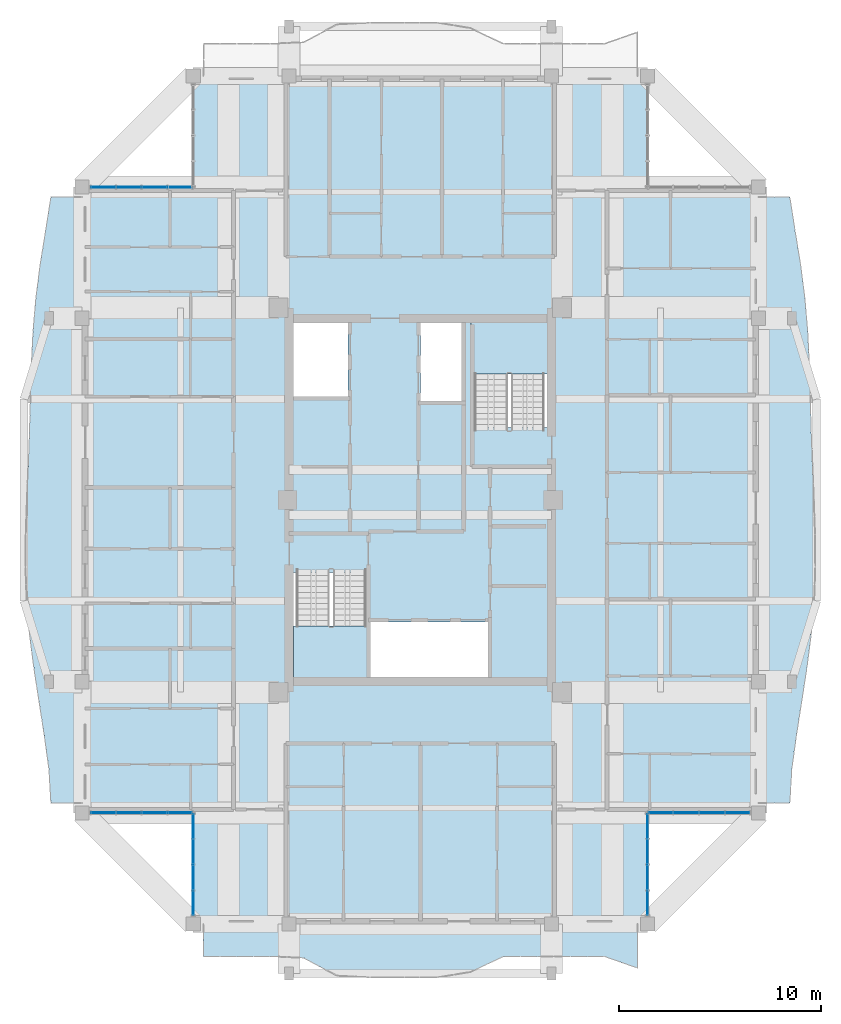
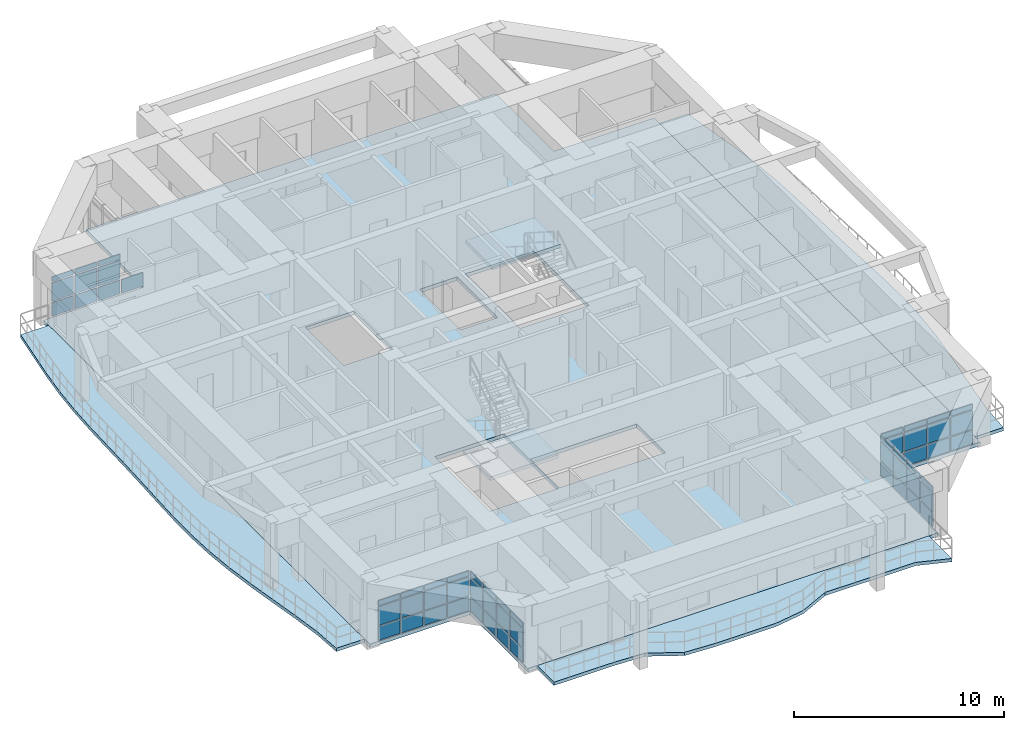
# One storey, part 14 of 27: 58 plates, 6 slabs, 7 elements without a shape of their own.
"""IFC4 building model written with IfcOpenShell, lengths in metres."""

from ifc_helpers import new_model, si_unit, direction, frame, origin, origin_2d, place, context, subcontext, project, spatial, polyline, rectangle, outline, extrude, source, transform, mapped, material, layer, layer_set, type_object, element, aggregate, save


model = new_model("IFC4")

# Units and contexts
model_context = context("Model", 3, precision=1e-05, world=origin(), true_north=direction((0.0, 1.0)))
body_context = subcontext(model_context, "Body", "Model", "MODEL_VIEW")
ifc_project = project(units=[si_unit("LENGTHUNIT", "METRE"), si_unit("AREAUNIT", "SQUARE_METRE"), si_unit("VOLUMEUNIT", "CUBIC_METRE"), si_unit("PLANEANGLEUNIT", "RADIAN"), si_unit("MASSUNIT", "GRAM", prefix="KILO")], contexts=[model_context])

# Site, building, storey
site_placement = place(None, origin())
site = spatial("IfcSite", under=ifc_project, at=site_placement, CompositionType="ELEMENT")
building_placement = place(site_placement, origin())
building = spatial("IfcBuilding", under=site, at=building_placement, Name="Saelheon Loggia Tower", CompositionType="ELEMENT")
storey_placement = place(building_placement, frame((0.0, 0.0, 236.10009765625)))
storey = spatial("IfcBuildingStorey", under=building, at=storey_placement, Name="L73", CompositionType="ELEMENT", Elevation=236.10009765625)

# Slabs
ifc_material_1 = material(Name="Precast Concrete C45/55", Category="concrete")
ifc_layer_1 = layer(ifc_material_1, 0.18994140625)
ifc_layer_set_1 = layer_set([ifc_layer_1], Name="Precast Concrete C45/55")
slab_type_1 = type_object("IfcSlabType", Name="Slab_Loggia_Ext_190", PredefinedType="FLOOR", material=ifc_layer_set_1)
slab_1_placement = place(storey_placement, frame((0.0, 0.0, -0.190185546875)))
element("IfcSlab", 1, at=slab_1_placement, inside=storey, type_object=slab_type_1, Name="L73 Loggia Balcony Slab S", PredefinedType="FLOOR", context=body_context, shape_type="SweptSolid", body=[
    extrude(outline(polyline([(27.25, 4.39990234375), (28.90380859375, 4.39990234375), (30.5576171875, 4.39990234375), (32.21142578125, 4.32275390625), (33.865478515625, 3.4404296875), (35.519287109375, 3.35009765625), (37.173095703125, 3.35009765625), (38.826904296875, 3.35009765625), (40.480712890625, 3.623046875), (42.134521484375, 4.39990234375), (43.78857421875, 4.39990234375), (45.4423828125, 4.39990234375), (47.09619140625, 4.39990234375), (48.75, 3.82275390625), (48.75, 6.0), (27.25, 6.0), (27.25, 4.39990234375)])), origin(), (0.0, 0.0, 1.0), 0.190185546875),
])
slab_2_placement = place(storey_placement, frame((0.0, 0.0, -0.190185546875)))
element("IfcSlab", 2, at=slab_2_placement, inside=storey, type_object=slab_type_1, Name="L73 Loggia Balcony Slab E", PredefinedType="FLOOR", context=body_context, shape_type="SweptSolid", body=[
    extrude(outline(polyline([(54.75, 12.0), (56.300048828125, 12.0), (56.397705078125, 13.666748046875), (56.625732421875, 15.333251953125), (56.884765625, 17.0), (57.14208984375, 18.666748046875), (57.3583984375, 20.333251953125), (57.501953125, 22.0), (57.560546875, 23.666748046875), (57.54638671875, 25.333251953125), (57.48779296875, 27.0), (57.41845703125, 28.666748046875), (57.360595703125, 30.333251953125), (57.31640625, 32.0), (57.26806640625, 33.666748046875), (57.18603515625, 35.333251953125), (57.043701171875, 37.0), (56.8310546875, 38.666748046875), (56.560302734375, 40.333251953125), (56.300048828125, 42.0), (54.75, 42.0), (54.75, 12.0)])), origin(), (0.0, 0.0, 1.0), 0.190185546875),
])
slab_3_placement = place(storey_placement, frame((0.0, 0.0, -0.190185546875)))
element("IfcSlab", 3, at=slab_3_placement, inside=storey, type_object=slab_type_1, Name="L73 Loggia Balcony Slab W", PredefinedType="FLOOR", context=body_context, shape_type="SweptSolid", body=[
    extrude(outline(polyline([(21.25, 12.0), (21.25, 42.0), (19.699951171875, 42.0), (19.439697265625, 40.333251953125), (19.1689453125, 38.666748046875), (18.956298828125, 37.0), (18.81396484375, 35.333251953125), (18.73193359375, 33.666748046875), (18.68359375, 32.0), (18.639404296875, 30.333251953125), (18.58154296875, 28.666748046875), (18.51220703125, 27.0), (18.45361328125, 25.333251953125), (18.439453125, 23.666748046875), (18.498046875, 22.0), (18.6416015625, 20.333251953125), (18.85791015625, 18.666748046875), (19.115234375, 17.0), (19.374267578125, 15.333251953125), (19.602294921875, 13.666748046875), (19.699951171875, 12.0), (21.25, 12.0)])), origin(), (0.0, 0.0, 1.0), 0.190185546875),
])

# Stair, slab
ifc_material_2 = material(Name="Concrete C40/50", Category="concrete")
stair_type = type_object("IfcStairType", Name="Stair_Escape_Core", PredefinedType="HALF_TURN_STAIR", material=ifc_material_2)
stair_1_placement = place(storey_placement, origin())
stair_1 = element("IfcStair", 4, at=stair_1_placement, inside=storey, type_object=stair_type, Name="L73 Special Escape Stair ST1", PredefinedType="HALF_TURN_STAIR")
ifc_layer_2 = layer(ifc_material_2, 0.199951171875)
ifc_layer_set_2 = layer_set([ifc_layer_2], Name="Concrete C40/50")
slab_type_2 = type_object("IfcSlabType", Name="Slab_StairLanding_ST1", PredefinedType="LANDING", material=ifc_layer_set_2)
slab_4_placement = place(storey_placement, frame((0.0, 0.0, 1.75)))
slab_4 = element("IfcSlab", 5, at=slab_4_placement, type_object=slab_type_2, Name="ST1 landing 1", PredefinedType="LANDING", context=body_context, shape_type="SweptSolid", body=[
    extrude(outline(polyline([(31.7099609375, 20.75), (31.7099609375, 18.2099609375), (35.469970703125, 18.2099609375), (35.469970703125, 20.75), (31.7099609375, 20.75)])), origin(), (0.0, 0.0, 1.0), 0.199951171875),
])
aggregate(stair_1, [slab_4])

stair_2_placement = place(storey_placement, origin())
stair_2 = element("IfcStair", 6, at=stair_2_placement, inside=storey, type_object=stair_type, Name="L73 Special Escape Stair ST2", PredefinedType="HALF_TURN_STAIR")
ifc_layer_3 = layer(ifc_material_2, 0.199951171875)
ifc_layer_set_3 = layer_set([ifc_layer_3], Name="Concrete C40/50")
slab_type_3 = type_object("IfcSlabType", Name="Slab_StairLanding_ST2", PredefinedType="LANDING", material=ifc_layer_set_3)
slab_5_placement = place(storey_placement, frame((0.0, 0.0, 1.75)))
slab_5 = element("IfcSlab", 7, at=slab_5_placement, type_object=slab_type_3, Name="ST2 landing 1", PredefinedType="LANDING", context=body_context, shape_type="SweptSolid", body=[
    extrude(outline(polyline([(44.2900390625, 33.25), (44.2900390625, 35.7900390625), (40.530029296875, 35.7900390625), (40.530029296875, 33.25), (44.2900390625, 33.25)])), origin(), (0.0, 0.0, 1.0), 0.199951171875),
])
aggregate(stair_2, [slab_5])

# Slab
ifc_layer_4 = layer(ifc_material_2, 0.2099609375)
ifc_layer_set_4 = layer_set([ifc_layer_4], Name="Concrete C40/50")
slab_type_4 = type_object("IfcSlabType", Name="Slab_Tower_210", PredefinedType="FLOOR", material=ifc_layer_set_4)
slab_6_placement = place(storey_placement, frame((0.0, 0.0, -0.210205078125)))
element("IfcSlab", 8, at=slab_6_placement, inside=storey, type_object=slab_type_4, Name="L73 Tower Floor Slab", PredefinedType="FLOOR", context=body_context, shape_type="SweptSolid", body=[
    extrude(outline(polyline([(26.75, 6.0), (49.25, 6.0), (49.25, 11.5), (54.75, 11.5), (54.75, 42.5), (49.25, 42.5), (49.25, 48.0), (26.75, 48.0), (26.75, 42.5), (21.25, 42.5), (21.25, 11.5), (26.75, 11.5), (26.75, 6.0)]), holes=[polyline([(31.699951171875, 23.409912109375), (31.699951171875, 18.199951171875), (35.47998046875, 18.199951171875), (35.47998046875, 23.409912109375), (31.699951171875, 23.409912109375)]), polyline([(44.300048828125, 30.590087890625), (44.300048828125, 35.800048828125), (40.52001953125, 35.800048828125), (40.52001953125, 30.590087890625), (44.300048828125, 30.590087890625)]), polyline([(35.530029296875, 18.22509765625), (41.35009765625, 18.22509765625), (41.35009765625, 20.9599609375), (35.530029296875, 20.9599609375), (35.530029296875, 18.22509765625)]), polyline([(31.72509765625, 32.1201171875), (34.419921875, 32.1201171875), (34.419921875, 35.77490234375), (31.72509765625, 35.77490234375), (31.72509765625, 32.1201171875)]), polyline([(38.0, 31.89990234375), (40.050048828125, 31.89990234375), (40.050048828125, 35.77490234375), (38.0, 35.77490234375), (38.0, 31.89990234375)])]), origin(), (0.0, 0.0, 1.0), 0.210205078125),
])

# Curtain wall, plates
ifc_material_3 = material(Name="High-Wind Aluminium and Triple Laminated Glass", Category="aluminium")
ifc_layer_5 = layer(ifc_material_3, 0.179931640625)
ifc_layer_set_5 = layer_set([ifc_layer_5], Name="High-Wind Aluminium and Triple Laminated Glass")
curtain_wall_type = type_object("IfcCurtainWallType", Name="CW_TowerLoggiaHigh", PredefinedType="NOTDEFINED", material=ifc_layer_set_5)
curtain_wall_1_placement = place(storey_placement, origin())
curtain_wall_1 = element("IfcCurtainWall", 9, at=curtain_wall_1_placement, inside=storey, type_object=curtain_wall_type, Name="L73 Corner Notch Glazing SW1", PredefinedType="NOTDEFINED")
ifc_material_4 = material(Name="Triple Low-E Laminated Glazing", Category="glass")
ifc_layer_6 = layer(ifc_material_4, 0.0439453125)
ifc_layer_set_6 = layer_set([ifc_layer_6], Name="Triple Low-E Laminated Glazing")
plate_type = type_object("IfcPlateType", Name="CW_TowerLoggiaHigh_Panel", PredefinedType="CURTAIN_PANEL", material=ifc_layer_set_6)
shared_shape_1 = source(origin(), body_context, "Body", "SweptSolid", [
    extrude(rectangle(XDim=1.172607421875, YDim=0.0439453125, at=origin_2d()), origin(), (0.0, 0.0, 1.0), 0.794921875),
])
plate_1_placement = place(storey_placement, frame((26.75, 7.046142578125, 0.06982421875), z_axis=(0.0, 0.0, 1.0), x_axis=(0.0, 1.0, 0.0)))
plate_1 = element("IfcPlate", 10, at=plate_1_placement, type_object=plate_type, Name="CW4 panel 1.1", PredefinedType="CURTAIN_PANEL", context=body_context, shape_type="MappedRepresentation", body=[
    mapped(shared_shape_1, transform((0.0, 0.0, 0.0), scale=1.0)),
])
plate_2_placement = place(storey_placement, frame((26.75, 10.84375, 0.06982421875), z_axis=(0.0, 0.0, 1.0), x_axis=(0.0, 1.0, 0.0)))
plate_2 = element("IfcPlate", 11, at=plate_2_placement, type_object=plate_type, Name="CW4 panel 4.1", PredefinedType="CURTAIN_PANEL", context=body_context, shape_type="MappedRepresentation", body=[
    mapped(shared_shape_1, transform((0.0, 0.0, 0.0), scale=1.0)),
])

curtain_wall_2_placement = place(storey_placement, origin())
curtain_wall_2 = element("IfcCurtainWall", 12, at=curtain_wall_2_placement, inside=storey, type_object=curtain_wall_type, Name="L73 Corner Notch Glazing SW2", PredefinedType="NOTDEFINED")
plate_3_placement = place(storey_placement, frame((22.296142578125, 11.5, 0.06982421875), z_axis=(0.0, 0.0, 1.0), x_axis=(1.0, 0.0, 0.0)))
plate_3 = element("IfcPlate", 13, at=plate_3_placement, type_object=plate_type, Name="CW4 panel 1.1", PredefinedType="CURTAIN_PANEL", context=body_context, shape_type="MappedRepresentation", body=[
    mapped(shared_shape_1, transform((0.0, 0.0, 0.0), scale=1.0)),
])
plate_4_placement = place(storey_placement, frame((26.09375, 11.5, 0.06982421875), z_axis=(0.0, 0.0, 1.0), x_axis=(1.0, 0.0, 0.0)))
plate_4 = element("IfcPlate", 14, at=plate_4_placement, type_object=plate_type, Name="CW4 panel 4.1", PredefinedType="CURTAIN_PANEL", context=body_context, shape_type="MappedRepresentation", body=[
    mapped(shared_shape_1, transform((0.0, 0.0, 0.0), scale=1.0)),
])

curtain_wall_3_placement = place(storey_placement, origin())
curtain_wall_3 = element("IfcCurtainWall", 15, at=curtain_wall_3_placement, inside=storey, type_object=curtain_wall_type, Name="L73 Corner Notch Glazing SE1", PredefinedType="NOTDEFINED")
plate_5_placement = place(storey_placement, frame((49.25, 7.046142578125, 0.06982421875), z_axis=(0.0, 0.0, 1.0), x_axis=(0.0, 1.0, 0.0)))
plate_5 = element("IfcPlate", 16, at=plate_5_placement, type_object=plate_type, Name="CW4 panel 1.1", PredefinedType="CURTAIN_PANEL", context=body_context, shape_type="MappedRepresentation", body=[
    mapped(shared_shape_1, transform((0.0, 0.0, 0.0), scale=1.0)),
])
plate_6_placement = place(storey_placement, frame((49.25, 10.84375, 0.06982421875), z_axis=(0.0, 0.0, 1.0), x_axis=(0.0, 1.0, 0.0)))
plate_6 = element("IfcPlate", 17, at=plate_6_placement, type_object=plate_type, Name="CW4 panel 4.1", PredefinedType="CURTAIN_PANEL", context=body_context, shape_type="MappedRepresentation", body=[
    mapped(shared_shape_1, transform((0.0, 0.0, 0.0), scale=1.0)),
])

curtain_wall_4_placement = place(storey_placement, origin())
curtain_wall_4 = element("IfcCurtainWall", 18, at=curtain_wall_4_placement, inside=storey, type_object=curtain_wall_type, Name="L73 Corner Notch Glazing SE2", PredefinedType="NOTDEFINED")
plate_7_placement = place(storey_placement, frame((49.90625, 11.5, 0.06982421875), z_axis=(0.0, 0.0, 1.0), x_axis=(1.0, 0.0, 0.0)))
plate_7 = element("IfcPlate", 19, at=plate_7_placement, type_object=plate_type, Name="CW4 panel 1.1", PredefinedType="CURTAIN_PANEL", context=body_context, shape_type="MappedRepresentation", body=[
    mapped(shared_shape_1, transform((0.0, 0.0, 0.0), scale=1.0)),
])
plate_8_placement = place(storey_placement, frame((53.703857421875, 11.5, 0.06982421875), z_axis=(0.0, 0.0, 1.0), x_axis=(1.0, 0.0, 0.0)))
plate_8 = element("IfcPlate", 20, at=plate_8_placement, type_object=plate_type, Name="CW4 panel 4.1", PredefinedType="CURTAIN_PANEL", context=body_context, shape_type="MappedRepresentation", body=[
    mapped(shared_shape_1, transform((0.0, 0.0, 0.0), scale=1.0)),
])

curtain_wall_5_placement = place(storey_placement, origin())
curtain_wall_5 = element("IfcCurtainWall", 21, at=curtain_wall_5_placement, inside=storey, type_object=curtain_wall_type, Name="L73 Corner Notch Glazing NW2", PredefinedType="NOTDEFINED")
plate_9_placement = place(storey_placement, frame((22.296142578125, 42.5, 0.06982421875), z_axis=(0.0, 0.0, 1.0), x_axis=(1.0, 0.0, 0.0)))
plate_9 = element("IfcPlate", 22, at=plate_9_placement, type_object=plate_type, Name="CW4 panel 1.1", PredefinedType="CURTAIN_PANEL", context=body_context, shape_type="MappedRepresentation", body=[
    mapped(shared_shape_1, transform((0.0, 0.0, 0.0), scale=1.0)),
])
plate_10_placement = place(storey_placement, frame((26.09375, 42.5, 0.06982421875), z_axis=(0.0, 0.0, 1.0), x_axis=(1.0, 0.0, 0.0)))
plate_10 = element("IfcPlate", 23, at=plate_10_placement, type_object=plate_type, Name="CW4 panel 4.1", PredefinedType="CURTAIN_PANEL", context=body_context, shape_type="MappedRepresentation", body=[
    mapped(shared_shape_1, transform((0.0, 0.0, 0.0), scale=1.0)),
])

# Plate
shared_shape_2 = source(origin(), body_context, "Body", "SweptSolid", [
    extrude(rectangle(XDim=1.172607421875, YDim=0.0439453125, at=origin_2d()), origin(), (0.0, 0.0, 1.0), 1.080078125),
])
plate_11_placement = place(storey_placement, frame((26.75, 7.046142578125, 0.934814453125), z_axis=(0.0, 0.0, 1.0), x_axis=(0.0, 1.0, 0.0)))
plate_11 = element("IfcPlate", 24, at=plate_11_placement, type_object=plate_type, Name="CW4 panel 1.2", PredefinedType="CURTAIN_PANEL", context=body_context, shape_type="MappedRepresentation", body=[
    mapped(shared_shape_2, transform((0.0, 0.0, 0.0), scale=1.0)),
])

plate_12_placement = place(storey_placement, frame((26.75, 10.84375, 0.934814453125), z_axis=(0.0, 0.0, 1.0), x_axis=(0.0, 1.0, 0.0)))
plate_12 = element("IfcPlate", 25, at=plate_12_placement, type_object=plate_type, Name="CW4 panel 4.2", PredefinedType="CURTAIN_PANEL", context=body_context, shape_type="MappedRepresentation", body=[
    mapped(shared_shape_2, transform((0.0, 0.0, 0.0), scale=1.0)),
])

plate_13_placement = place(storey_placement, frame((22.296142578125, 11.5, 0.934814453125), z_axis=(0.0, 0.0, 1.0), x_axis=(1.0, 0.0, 0.0)))
plate_13 = element("IfcPlate", 26, at=plate_13_placement, type_object=plate_type, Name="CW4 panel 1.2", PredefinedType="CURTAIN_PANEL", context=body_context, shape_type="MappedRepresentation", body=[
    mapped(shared_shape_2, transform((0.0, 0.0, 0.0), scale=1.0)),
])

plate_14_placement = place(storey_placement, frame((26.09375, 11.5, 0.934814453125), z_axis=(0.0, 0.0, 1.0), x_axis=(1.0, 0.0, 0.0)))
plate_14 = element("IfcPlate", 27, at=plate_14_placement, type_object=plate_type, Name="CW4 panel 4.2", PredefinedType="CURTAIN_PANEL", context=body_context, shape_type="MappedRepresentation", body=[
    mapped(shared_shape_2, transform((0.0, 0.0, 0.0), scale=1.0)),
])

plate_15_placement = place(storey_placement, frame((49.25, 7.046142578125, 0.934814453125), z_axis=(0.0, 0.0, 1.0), x_axis=(0.0, 1.0, 0.0)))
plate_15 = element("IfcPlate", 28, at=plate_15_placement, type_object=plate_type, Name="CW4 panel 1.2", PredefinedType="CURTAIN_PANEL", context=body_context, shape_type="MappedRepresentation", body=[
    mapped(shared_shape_2, transform((0.0, 0.0, 0.0), scale=1.0)),
])

plate_16_placement = place(storey_placement, frame((49.25, 10.84375, 0.934814453125), z_axis=(0.0, 0.0, 1.0), x_axis=(0.0, 1.0, 0.0)))
plate_16 = element("IfcPlate", 29, at=plate_16_placement, type_object=plate_type, Name="CW4 panel 4.2", PredefinedType="CURTAIN_PANEL", context=body_context, shape_type="MappedRepresentation", body=[
    mapped(shared_shape_2, transform((0.0, 0.0, 0.0), scale=1.0)),
])

plate_17_placement = place(storey_placement, frame((49.90625, 11.5, 0.934814453125), z_axis=(0.0, 0.0, 1.0), x_axis=(1.0, 0.0, 0.0)))
plate_17 = element("IfcPlate", 30, at=plate_17_placement, type_object=plate_type, Name="CW4 panel 1.2", PredefinedType="CURTAIN_PANEL", context=body_context, shape_type="MappedRepresentation", body=[
    mapped(shared_shape_2, transform((0.0, 0.0, 0.0), scale=1.0)),
])

plate_18_placement = place(storey_placement, frame((53.703857421875, 11.5, 0.934814453125), z_axis=(0.0, 0.0, 1.0), x_axis=(1.0, 0.0, 0.0)))
plate_18 = element("IfcPlate", 31, at=plate_18_placement, type_object=plate_type, Name="CW4 panel 4.2", PredefinedType="CURTAIN_PANEL", context=body_context, shape_type="MappedRepresentation", body=[
    mapped(shared_shape_2, transform((0.0, 0.0, 0.0), scale=1.0)),
])

plate_19_placement = place(storey_placement, frame((22.296142578125, 42.5, 0.934814453125), z_axis=(0.0, 0.0, 1.0), x_axis=(1.0, 0.0, 0.0)))
plate_19 = element("IfcPlate", 32, at=plate_19_placement, type_object=plate_type, Name="CW4 panel 1.2", PredefinedType="CURTAIN_PANEL", context=body_context, shape_type="MappedRepresentation", body=[
    mapped(shared_shape_2, transform((0.0, 0.0, 0.0), scale=1.0)),
])

shared_shape_3 = source(origin(), body_context, "Body", "SweptSolid", [
    extrude(rectangle(XDim=1.172607421875, YDim=0.0439453125, at=origin_2d()), origin(), (0.0, 0.0, 1.0), 0.284912109375),
])
plate_20_placement = place(storey_placement, frame((26.75, 7.046142578125, 2.0849609375), z_axis=(0.0, 0.0, 1.0), x_axis=(0.0, 1.0, 0.0)))
plate_20 = element("IfcPlate", 33, at=plate_20_placement, type_object=plate_type, Name="CW4 panel 1.3", PredefinedType="CURTAIN_PANEL", context=body_context, shape_type="MappedRepresentation", body=[
    mapped(shared_shape_3, transform((0.0, 0.0, 0.0), scale=1.0)),
])

plate_21_placement = place(storey_placement, frame((26.75, 10.84375, 2.0849609375), z_axis=(0.0, 0.0, 1.0), x_axis=(0.0, 1.0, 0.0)))
plate_21 = element("IfcPlate", 34, at=plate_21_placement, type_object=plate_type, Name="CW4 panel 4.3", PredefinedType="CURTAIN_PANEL", context=body_context, shape_type="MappedRepresentation", body=[
    mapped(shared_shape_3, transform((0.0, 0.0, 0.0), scale=1.0)),
])

plate_22_placement = place(storey_placement, frame((22.296142578125, 11.5, 2.0849609375), z_axis=(0.0, 0.0, 1.0), x_axis=(1.0, 0.0, 0.0)))
plate_22 = element("IfcPlate", 35, at=plate_22_placement, type_object=plate_type, Name="CW4 panel 1.3", PredefinedType="CURTAIN_PANEL", context=body_context, shape_type="MappedRepresentation", body=[
    mapped(shared_shape_3, transform((0.0, 0.0, 0.0), scale=1.0)),
])

plate_23_placement = place(storey_placement, frame((26.09375, 11.5, 2.0849609375), z_axis=(0.0, 0.0, 1.0), x_axis=(1.0, 0.0, 0.0)))
plate_23 = element("IfcPlate", 36, at=plate_23_placement, type_object=plate_type, Name="CW4 panel 4.3", PredefinedType="CURTAIN_PANEL", context=body_context, shape_type="MappedRepresentation", body=[
    mapped(shared_shape_3, transform((0.0, 0.0, 0.0), scale=1.0)),
])

plate_24_placement = place(storey_placement, frame((49.25, 7.046142578125, 2.0849609375), z_axis=(0.0, 0.0, 1.0), x_axis=(0.0, 1.0, 0.0)))
plate_24 = element("IfcPlate", 37, at=plate_24_placement, type_object=plate_type, Name="CW4 panel 1.3", PredefinedType="CURTAIN_PANEL", context=body_context, shape_type="MappedRepresentation", body=[
    mapped(shared_shape_3, transform((0.0, 0.0, 0.0), scale=1.0)),
])

plate_25_placement = place(storey_placement, frame((49.25, 10.84375, 2.0849609375), z_axis=(0.0, 0.0, 1.0), x_axis=(0.0, 1.0, 0.0)))
plate_25 = element("IfcPlate", 38, at=plate_25_placement, type_object=plate_type, Name="CW4 panel 4.3", PredefinedType="CURTAIN_PANEL", context=body_context, shape_type="MappedRepresentation", body=[
    mapped(shared_shape_3, transform((0.0, 0.0, 0.0), scale=1.0)),
])

plate_26_placement = place(storey_placement, frame((49.90625, 11.5, 2.0849609375), z_axis=(0.0, 0.0, 1.0), x_axis=(1.0, 0.0, 0.0)))
plate_26 = element("IfcPlate", 39, at=plate_26_placement, type_object=plate_type, Name="CW4 panel 1.3", PredefinedType="CURTAIN_PANEL", context=body_context, shape_type="MappedRepresentation", body=[
    mapped(shared_shape_3, transform((0.0, 0.0, 0.0), scale=1.0)),
])

plate_27_placement = place(storey_placement, frame((53.703857421875, 11.5, 2.0849609375), z_axis=(0.0, 0.0, 1.0), x_axis=(1.0, 0.0, 0.0)))
plate_27 = element("IfcPlate", 40, at=plate_27_placement, type_object=plate_type, Name="CW4 panel 4.3", PredefinedType="CURTAIN_PANEL", context=body_context, shape_type="MappedRepresentation", body=[
    mapped(shared_shape_3, transform((0.0, 0.0, 0.0), scale=1.0)),
])

plate_28_placement = place(storey_placement, frame((22.296142578125, 42.5, 2.0849609375), z_axis=(0.0, 0.0, 1.0), x_axis=(1.0, 0.0, 0.0)))
plate_28 = element("IfcPlate", 41, at=plate_28_placement, type_object=plate_type, Name="CW4 panel 1.3", PredefinedType="CURTAIN_PANEL", context=body_context, shape_type="MappedRepresentation", body=[
    mapped(shared_shape_3, transform((0.0, 0.0, 0.0), scale=1.0)),
])

shared_shape_4 = source(origin(), body_context, "Body", "SweptSolid", [
    extrude(rectangle(XDim=1.20751953125, YDim=0.0439453125, at=origin_2d()), origin(), (0.0, 0.0, 1.0), 0.794921875),
])
plate_29_placement = place(storey_placement, frame((26.75, 8.30615234375, 0.06982421875), z_axis=(0.0, 0.0, 1.0), x_axis=(0.0, 1.0, 0.0)))
plate_29 = element("IfcPlate", 42, at=plate_29_placement, type_object=plate_type, Name="CW4 panel 2.1", PredefinedType="CURTAIN_PANEL", context=body_context, shape_type="MappedRepresentation", body=[
    mapped(shared_shape_4, transform((0.0, 0.0, 0.0), scale=1.0)),
])

plate_30_placement = place(storey_placement, frame((26.75, 9.583740234375, 0.06982421875), z_axis=(0.0, 0.0, 1.0), x_axis=(0.0, 1.0, 0.0)))
plate_30 = element("IfcPlate", 43, at=plate_30_placement, type_object=plate_type, Name="CW4 panel 3.1", PredefinedType="CURTAIN_PANEL", context=body_context, shape_type="MappedRepresentation", body=[
    mapped(shared_shape_4, transform((0.0, 0.0, 0.0), scale=1.0)),
])

plate_31_placement = place(storey_placement, frame((23.55615234375, 11.5, 0.06982421875), z_axis=(0.0, 0.0, 1.0), x_axis=(1.0, 0.0, 0.0)))
plate_31 = element("IfcPlate", 44, at=plate_31_placement, type_object=plate_type, Name="CW4 panel 2.1", PredefinedType="CURTAIN_PANEL", context=body_context, shape_type="MappedRepresentation", body=[
    mapped(shared_shape_4, transform((0.0, 0.0, 0.0), scale=1.0)),
])

plate_32_placement = place(storey_placement, frame((24.833740234375, 11.5, 0.06982421875), z_axis=(0.0, 0.0, 1.0), x_axis=(1.0, 0.0, 0.0)))
plate_32 = element("IfcPlate", 45, at=plate_32_placement, type_object=plate_type, Name="CW4 panel 3.1", PredefinedType="CURTAIN_PANEL", context=body_context, shape_type="MappedRepresentation", body=[
    mapped(shared_shape_4, transform((0.0, 0.0, 0.0), scale=1.0)),
])

plate_33_placement = place(storey_placement, frame((49.25, 8.30615234375, 0.06982421875), z_axis=(0.0, 0.0, 1.0), x_axis=(0.0, 1.0, 0.0)))
plate_33 = element("IfcPlate", 46, at=plate_33_placement, type_object=plate_type, Name="CW4 panel 2.1", PredefinedType="CURTAIN_PANEL", context=body_context, shape_type="MappedRepresentation", body=[
    mapped(shared_shape_4, transform((0.0, 0.0, 0.0), scale=1.0)),
])

plate_34_placement = place(storey_placement, frame((49.25, 9.583740234375, 0.06982421875), z_axis=(0.0, 0.0, 1.0), x_axis=(0.0, 1.0, 0.0)))
plate_34 = element("IfcPlate", 47, at=plate_34_placement, type_object=plate_type, Name="CW4 panel 3.1", PredefinedType="CURTAIN_PANEL", context=body_context, shape_type="MappedRepresentation", body=[
    mapped(shared_shape_4, transform((0.0, 0.0, 0.0), scale=1.0)),
])

plate_35_placement = place(storey_placement, frame((51.166259765625, 11.5, 0.06982421875), z_axis=(0.0, 0.0, 1.0), x_axis=(1.0, 0.0, 0.0)))
plate_35 = element("IfcPlate", 48, at=plate_35_placement, type_object=plate_type, Name="CW4 panel 2.1", PredefinedType="CURTAIN_PANEL", context=body_context, shape_type="MappedRepresentation", body=[
    mapped(shared_shape_4, transform((0.0, 0.0, 0.0), scale=1.0)),
])

plate_36_placement = place(storey_placement, frame((52.44384765625, 11.5, 0.06982421875), z_axis=(0.0, 0.0, 1.0), x_axis=(1.0, 0.0, 0.0)))
plate_36 = element("IfcPlate", 49, at=plate_36_placement, type_object=plate_type, Name="CW4 panel 3.1", PredefinedType="CURTAIN_PANEL", context=body_context, shape_type="MappedRepresentation", body=[
    mapped(shared_shape_4, transform((0.0, 0.0, 0.0), scale=1.0)),
])

plate_37_placement = place(storey_placement, frame((23.55615234375, 42.5, 0.06982421875), z_axis=(0.0, 0.0, 1.0), x_axis=(1.0, 0.0, 0.0)))
plate_37 = element("IfcPlate", 50, at=plate_37_placement, type_object=plate_type, Name="CW4 panel 2.1", PredefinedType="CURTAIN_PANEL", context=body_context, shape_type="MappedRepresentation", body=[
    mapped(shared_shape_4, transform((0.0, 0.0, 0.0), scale=1.0)),
])

plate_38_placement = place(storey_placement, frame((24.833740234375, 42.5, 0.06982421875), z_axis=(0.0, 0.0, 1.0), x_axis=(1.0, 0.0, 0.0)))
plate_38 = element("IfcPlate", 51, at=plate_38_placement, type_object=plate_type, Name="CW4 panel 3.1", PredefinedType="CURTAIN_PANEL", context=body_context, shape_type="MappedRepresentation", body=[
    mapped(shared_shape_4, transform((0.0, 0.0, 0.0), scale=1.0)),
])

shared_shape_5 = source(origin(), body_context, "Body", "SweptSolid", [
    extrude(rectangle(XDim=1.20751953125, YDim=0.0439453125, at=origin_2d()), origin(), (0.0, 0.0, 1.0), 1.080078125),
])
plate_39_placement = place(storey_placement, frame((26.75, 8.30615234375, 0.934814453125), z_axis=(0.0, 0.0, 1.0), x_axis=(0.0, 1.0, 0.0)))
plate_39 = element("IfcPlate", 52, at=plate_39_placement, type_object=plate_type, Name="CW4 panel 2.2", PredefinedType="CURTAIN_PANEL", context=body_context, shape_type="MappedRepresentation", body=[
    mapped(shared_shape_5, transform((0.0, 0.0, 0.0), scale=1.0)),
])

plate_40_placement = place(storey_placement, frame((26.75, 9.583740234375, 0.934814453125), z_axis=(0.0, 0.0, 1.0), x_axis=(0.0, 1.0, 0.0)))
plate_40 = element("IfcPlate", 53, at=plate_40_placement, type_object=plate_type, Name="CW4 panel 3.2", PredefinedType="CURTAIN_PANEL", context=body_context, shape_type="MappedRepresentation", body=[
    mapped(shared_shape_5, transform((0.0, 0.0, 0.0), scale=1.0)),
])

plate_41_placement = place(storey_placement, frame((23.55615234375, 11.5, 0.934814453125), z_axis=(0.0, 0.0, 1.0), x_axis=(1.0, 0.0, 0.0)))
plate_41 = element("IfcPlate", 54, at=plate_41_placement, type_object=plate_type, Name="CW4 panel 2.2", PredefinedType="CURTAIN_PANEL", context=body_context, shape_type="MappedRepresentation", body=[
    mapped(shared_shape_5, transform((0.0, 0.0, 0.0), scale=1.0)),
])

plate_42_placement = place(storey_placement, frame((24.833740234375, 11.5, 0.934814453125), z_axis=(0.0, 0.0, 1.0), x_axis=(1.0, 0.0, 0.0)))
plate_42 = element("IfcPlate", 55, at=plate_42_placement, type_object=plate_type, Name="CW4 panel 3.2", PredefinedType="CURTAIN_PANEL", context=body_context, shape_type="MappedRepresentation", body=[
    mapped(shared_shape_5, transform((0.0, 0.0, 0.0), scale=1.0)),
])

plate_43_placement = place(storey_placement, frame((49.25, 8.30615234375, 0.934814453125), z_axis=(0.0, 0.0, 1.0), x_axis=(0.0, 1.0, 0.0)))
plate_43 = element("IfcPlate", 56, at=plate_43_placement, type_object=plate_type, Name="CW4 panel 2.2", PredefinedType="CURTAIN_PANEL", context=body_context, shape_type="MappedRepresentation", body=[
    mapped(shared_shape_5, transform((0.0, 0.0, 0.0), scale=1.0)),
])

plate_44_placement = place(storey_placement, frame((49.25, 9.583740234375, 0.934814453125), z_axis=(0.0, 0.0, 1.0), x_axis=(0.0, 1.0, 0.0)))
plate_44 = element("IfcPlate", 57, at=plate_44_placement, type_object=plate_type, Name="CW4 panel 3.2", PredefinedType="CURTAIN_PANEL", context=body_context, shape_type="MappedRepresentation", body=[
    mapped(shared_shape_5, transform((0.0, 0.0, 0.0), scale=1.0)),
])

plate_45_placement = place(storey_placement, frame((51.166259765625, 11.5, 0.934814453125), z_axis=(0.0, 0.0, 1.0), x_axis=(1.0, 0.0, 0.0)))
plate_45 = element("IfcPlate", 58, at=plate_45_placement, type_object=plate_type, Name="CW4 panel 2.2", PredefinedType="CURTAIN_PANEL", context=body_context, shape_type="MappedRepresentation", body=[
    mapped(shared_shape_5, transform((0.0, 0.0, 0.0), scale=1.0)),
])

plate_46_placement = place(storey_placement, frame((52.44384765625, 11.5, 0.934814453125), z_axis=(0.0, 0.0, 1.0), x_axis=(1.0, 0.0, 0.0)))
plate_46 = element("IfcPlate", 59, at=plate_46_placement, type_object=plate_type, Name="CW4 panel 3.2", PredefinedType="CURTAIN_PANEL", context=body_context, shape_type="MappedRepresentation", body=[
    mapped(shared_shape_5, transform((0.0, 0.0, 0.0), scale=1.0)),
])

plate_47_placement = place(storey_placement, frame((23.55615234375, 42.5, 0.934814453125), z_axis=(0.0, 0.0, 1.0), x_axis=(1.0, 0.0, 0.0)))
plate_47 = element("IfcPlate", 60, at=plate_47_placement, type_object=plate_type, Name="CW4 panel 2.2", PredefinedType="CURTAIN_PANEL", context=body_context, shape_type="MappedRepresentation", body=[
    mapped(shared_shape_5, transform((0.0, 0.0, 0.0), scale=1.0)),
])

plate_48_placement = place(storey_placement, frame((24.833740234375, 42.5, 0.934814453125), z_axis=(0.0, 0.0, 1.0), x_axis=(1.0, 0.0, 0.0)))
plate_48 = element("IfcPlate", 61, at=plate_48_placement, type_object=plate_type, Name="CW4 panel 3.2", PredefinedType="CURTAIN_PANEL", context=body_context, shape_type="MappedRepresentation", body=[
    mapped(shared_shape_5, transform((0.0, 0.0, 0.0), scale=1.0)),
])

shared_shape_6 = source(origin(), body_context, "Body", "SweptSolid", [
    extrude(rectangle(XDim=1.20751953125, YDim=0.0439453125, at=origin_2d()), origin(), (0.0, 0.0, 1.0), 0.284912109375),
])
plate_49_placement = place(storey_placement, frame((26.75, 8.30615234375, 2.0849609375), z_axis=(0.0, 0.0, 1.0), x_axis=(0.0, 1.0, 0.0)))
plate_49 = element("IfcPlate", 62, at=plate_49_placement, type_object=plate_type, Name="CW4 panel 2.3", PredefinedType="CURTAIN_PANEL", context=body_context, shape_type="MappedRepresentation", body=[
    mapped(shared_shape_6, transform((0.0, 0.0, 0.0), scale=1.0)),
])

plate_50_placement = place(storey_placement, frame((26.75, 9.583740234375, 2.0849609375), z_axis=(0.0, 0.0, 1.0), x_axis=(0.0, 1.0, 0.0)))
plate_50 = element("IfcPlate", 63, at=plate_50_placement, type_object=plate_type, Name="CW4 panel 3.3", PredefinedType="CURTAIN_PANEL", context=body_context, shape_type="MappedRepresentation", body=[
    mapped(shared_shape_6, transform((0.0, 0.0, 0.0), scale=1.0)),
])

aggregate(curtain_wall_1, [plate_1, plate_11, plate_20, plate_29, plate_39, plate_49, plate_30, plate_40, plate_50, plate_2, plate_12, plate_21])

plate_51_placement = place(storey_placement, frame((23.55615234375, 11.5, 2.0849609375), z_axis=(0.0, 0.0, 1.0), x_axis=(1.0, 0.0, 0.0)))
plate_51 = element("IfcPlate", 64, at=plate_51_placement, type_object=plate_type, Name="CW4 panel 2.3", PredefinedType="CURTAIN_PANEL", context=body_context, shape_type="MappedRepresentation", body=[
    mapped(shared_shape_6, transform((0.0, 0.0, 0.0), scale=1.0)),
])

plate_52_placement = place(storey_placement, frame((24.833740234375, 11.5, 2.0849609375), z_axis=(0.0, 0.0, 1.0), x_axis=(1.0, 0.0, 0.0)))
plate_52 = element("IfcPlate", 65, at=plate_52_placement, type_object=plate_type, Name="CW4 panel 3.3", PredefinedType="CURTAIN_PANEL", context=body_context, shape_type="MappedRepresentation", body=[
    mapped(shared_shape_6, transform((0.0, 0.0, 0.0), scale=1.0)),
])

aggregate(curtain_wall_2, [plate_3, plate_13, plate_22, plate_31, plate_41, plate_51, plate_32, plate_42, plate_52, plate_4, plate_14, plate_23])

plate_53_placement = place(storey_placement, frame((49.25, 8.30615234375, 2.0849609375), z_axis=(0.0, 0.0, 1.0), x_axis=(0.0, 1.0, 0.0)))
plate_53 = element("IfcPlate", 66, at=plate_53_placement, type_object=plate_type, Name="CW4 panel 2.3", PredefinedType="CURTAIN_PANEL", context=body_context, shape_type="MappedRepresentation", body=[
    mapped(shared_shape_6, transform((0.0, 0.0, 0.0), scale=1.0)),
])

plate_54_placement = place(storey_placement, frame((49.25, 9.583740234375, 2.0849609375), z_axis=(0.0, 0.0, 1.0), x_axis=(0.0, 1.0, 0.0)))
plate_54 = element("IfcPlate", 67, at=plate_54_placement, type_object=plate_type, Name="CW4 panel 3.3", PredefinedType="CURTAIN_PANEL", context=body_context, shape_type="MappedRepresentation", body=[
    mapped(shared_shape_6, transform((0.0, 0.0, 0.0), scale=1.0)),
])

aggregate(curtain_wall_3, [plate_5, plate_15, plate_24, plate_33, plate_43, plate_53, plate_34, plate_44, plate_54, plate_6, plate_16, plate_25])

plate_55_placement = place(storey_placement, frame((51.166259765625, 11.5, 2.0849609375), z_axis=(0.0, 0.0, 1.0), x_axis=(1.0, 0.0, 0.0)))
plate_55 = element("IfcPlate", 68, at=plate_55_placement, type_object=plate_type, Name="CW4 panel 2.3", PredefinedType="CURTAIN_PANEL", context=body_context, shape_type="MappedRepresentation", body=[
    mapped(shared_shape_6, transform((0.0, 0.0, 0.0), scale=1.0)),
])

plate_56_placement = place(storey_placement, frame((52.44384765625, 11.5, 2.0849609375), z_axis=(0.0, 0.0, 1.0), x_axis=(1.0, 0.0, 0.0)))
plate_56 = element("IfcPlate", 69, at=plate_56_placement, type_object=plate_type, Name="CW4 panel 3.3", PredefinedType="CURTAIN_PANEL", context=body_context, shape_type="MappedRepresentation", body=[
    mapped(shared_shape_6, transform((0.0, 0.0, 0.0), scale=1.0)),
])

aggregate(curtain_wall_4, [plate_7, plate_17, plate_26, plate_35, plate_45, plate_55, plate_36, plate_46, plate_56, plate_8, plate_18, plate_27])

plate_57_placement = place(storey_placement, frame((23.55615234375, 42.5, 2.0849609375), z_axis=(0.0, 0.0, 1.0), x_axis=(1.0, 0.0, 0.0)))
plate_57 = element("IfcPlate", 70, at=plate_57_placement, type_object=plate_type, Name="CW4 panel 2.3", PredefinedType="CURTAIN_PANEL", context=body_context, shape_type="MappedRepresentation", body=[
    mapped(shared_shape_6, transform((0.0, 0.0, 0.0), scale=1.0)),
])

plate_58_placement = place(storey_placement, frame((24.833740234375, 42.5, 2.0849609375), z_axis=(0.0, 0.0, 1.0), x_axis=(1.0, 0.0, 0.0)))
plate_58 = element("IfcPlate", 71, at=plate_58_placement, type_object=plate_type, Name="CW4 panel 3.3", PredefinedType="CURTAIN_PANEL", context=body_context, shape_type="MappedRepresentation", body=[
    mapped(shared_shape_6, transform((0.0, 0.0, 0.0), scale=1.0)),
])

aggregate(curtain_wall_5, [plate_9, plate_19, plate_28, plate_37, plate_47, plate_57, plate_38, plate_48, plate_58, plate_10])

save(model, "model.ifc")
